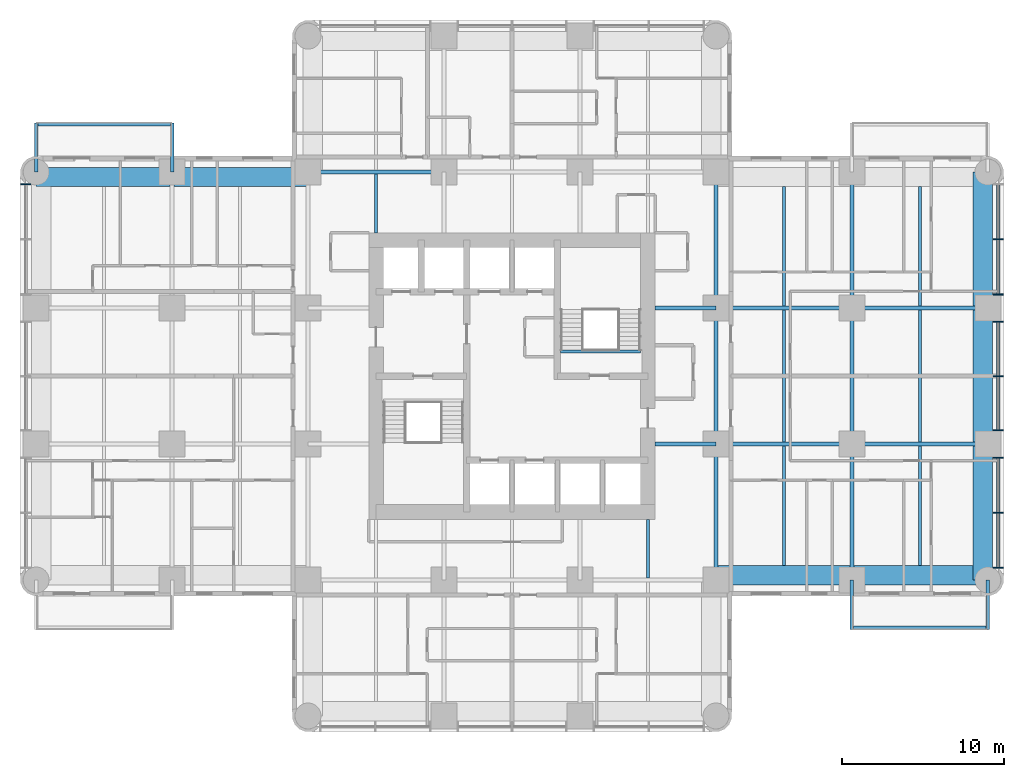
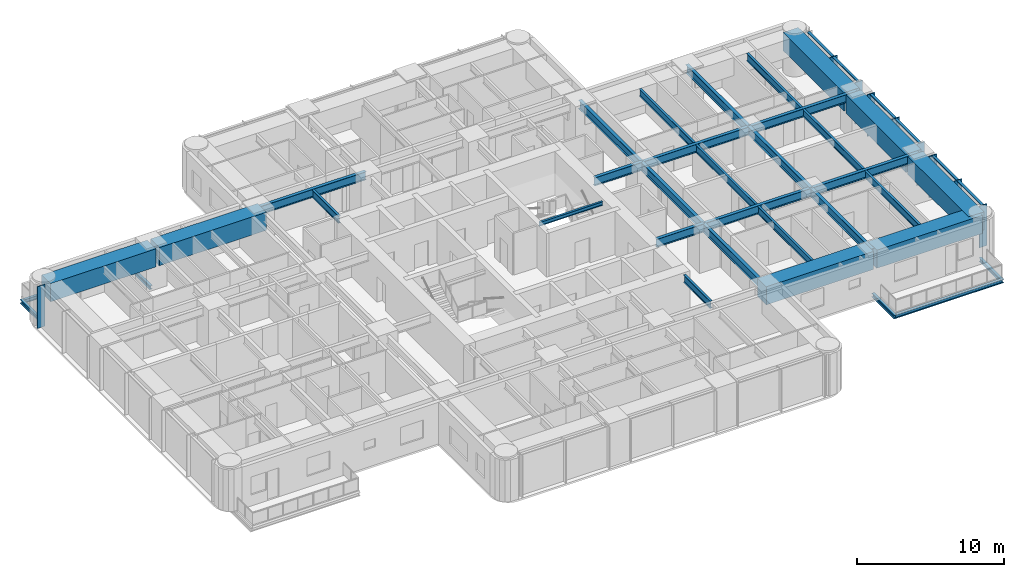
# One storey, part 3 of 14: 35 beams, 15 members, 2 elements without a shape of their own.
"""IFC4 building model written with IfcOpenShell, lengths in metres."""

from ifc_helpers import new_model, si_unit, direction, frame, origin, origin_2d, place, context, subcontext, project, spatial, rectangle, i_section, extrude, material, material_profile, profile_set, type_object, element, aggregate, save


model = new_model("IFC4")

# Units and contexts
model_context = context("Model", 3, precision=1e-05, world=origin(), true_north=direction((0.0, 1.0)))
body_context = subcontext(model_context, "Body", "Model", "MODEL_VIEW")
ifc_project = project(units=[si_unit("LENGTHUNIT", "METRE"), si_unit("AREAUNIT", "SQUARE_METRE"), si_unit("VOLUMEUNIT", "CUBIC_METRE"), si_unit("PLANEANGLEUNIT", "RADIAN"), si_unit("MASSUNIT", "GRAM", prefix="KILO")], contexts=[model_context])

# Site, building, storey
site_placement = place(None, origin())
site = spatial("IfcSite", under=ifc_project, at=site_placement, CompositionType="ELEMENT")
building_placement = place(site_placement, origin())
building = spatial("IfcBuilding", under=site, at=building_placement, Name="Torre Alcanfor", CompositionType="ELEMENT")
storey_placement = place(building_placement, frame((0.0, 0.0, 134.10009765625)))
storey = spatial("IfcBuildingStorey", under=building, at=storey_placement, Name="L34", CompositionType="ELEMENT", Elevation=134.10009765625)

# Beams
ifc_material_1 = material(Name="Steel ASTM A992 Grade 50", Category="steel")
ifc_material_profile_1 = material_profile(ifc_material_1, i_section(OverallWidth=0.205322265625, OverallDepth=0.309814453125, WebThickness=0.00927734375, FlangeThickness=0.016357421875, at=origin_2d()), Name="W12x50")
ifc_profile_set_1 = profile_set([ifc_material_profile_1], Name="Steel ASTM A992 Grade 50")
beam_type_1 = type_object("IfcBeamType", Name="Balcony cantilever beam W12x50", PredefinedType="BEAM", material=ifc_profile_set_1)
for number, where, z_axis, x_axis, name in (
    (1, (50.39990234375, 16.800048828125, -0.35498046875), (0.0, -1.0, 0.0), (1.0, 0.0, 0.0), "Balcony cantilever beam L34-E2 1"),
    (2, (58.800048828125, 16.800048828125, -0.35498046875), (0.0, -1.0, 0.0), (1.0, 0.0, 0.0), "Balcony cantilever beam L34-E2 2"),
    (3, (8.39990234375, 42.0, -0.35498046875), (0.0, 1.0, 0.0), (-1.0, 0.0, 0.0), "Balcony cantilever beam L34-W2 1"),
    (4, (0.0, 42.0, -0.35498046875), (0.0, 1.0, 0.0), (-1.0, 0.0, 0.0), "Balcony cantilever beam L34-W2 2"),
):
    element("IfcBeam", number, at=place(storey_placement, frame(where, z_axis=z_axis, x_axis=x_axis)), inside=storey, type_object=beam_type_1, Name=name, PredefinedType="BEAM", context=body_context, shape_type="SweptSolid", body=[
        extrude(i_section(OverallWidth=0.205322265625, OverallDepth=0.309814453125, WebThickness=0.00927734375, FlangeThickness=0.016357421875, at=origin_2d()), origin(), (0.0, 0.0, 1.0), 3.050048828125),
    ])
ifc_material_2 = material(Name="Steel ASTM A992 Grade 50", Category="steel")
ifc_material_profile_2 = material_profile(ifc_material_2, i_section(OverallWidth=0.203369140625, OverallDepth=0.30224609375, WebThickness=0.007568359375, FlangeThickness=0.01318359375, at=origin_2d()), Name="W12x40")
ifc_profile_set_2 = profile_set([ifc_material_profile_2], Name="Steel ASTM A992 Grade 50")
beam_type_2 = type_object("IfcBeamType", Name="Balcony edge trimmer W12x40", PredefinedType="BEAM", material=ifc_profile_set_2)
beam_1_placement = place(storey_placement, frame((50.39990234375, 13.851806640625, -0.351318359375), z_axis=(1.0, 0.0, 0.0), x_axis=(0.0, 1.0, 0.0)))
element("IfcBeam", 5, at=beam_1_placement, inside=storey, type_object=beam_type_2, Name="Balcony edge trimmer L34-E2", PredefinedType="BEAM", context=body_context, shape_type="SweptSolid", body=[
    extrude(i_section(OverallWidth=0.203369140625, OverallDepth=0.30224609375, WebThickness=0.007568359375, FlangeThickness=0.01318359375, at=origin_2d()), origin(), (0.0, 0.0, 1.0), 8.400146484375),
])
beam_2_placement = place(storey_placement, frame((8.39990234375, 44.9482421875, -0.351318359375), z_axis=(-1.0, 0.0, 0.0), x_axis=(0.0, -1.0, 0.0)))
element("IfcBeam", 6, at=beam_2_placement, inside=storey, type_object=beam_type_2, Name="Balcony edge trimmer L34-W2", PredefinedType="BEAM", context=body_context, shape_type="SweptSolid", body=[
    extrude(i_section(OverallWidth=0.203369140625, OverallDepth=0.30224609375, WebThickness=0.007568359375, FlangeThickness=0.01318359375, at=origin_2d()), origin(), (0.0, 0.0, 1.0), 8.39990234375),
])

# Curtain wall, member
ifc_material_3 = material(Name="Aluminium and glass", Category="aluminium")
curtain_wall_type = type_object("IfcCurtainWallType", Name="CW-A unitised apartment glazing with vertical FIN", PredefinedType="NOTDEFINED", material=ifc_material_3)
curtain_wall_1_placement = place(storey_placement, origin())
curtain_wall_1 = element("IfcCurtainWall", 7, at=curtain_wall_1_placement, inside=storey, type_object=curtain_wall_type, Name="Curtain wall CW-A L34 2", PredefinedType="NOTDEFINED")
ifc_material_4 = material(Name="Bronze anodised aluminium", Category="aluminium")
ifc_material_profile_3 = material_profile(ifc_material_4, rectangle(XDim=0.60009765625, YDim=0.06494140625, at=origin_2d()), Name="CW-A mullion 65x600")
ifc_profile_set_3 = profile_set([ifc_material_profile_3], Name="Bronze anodised aluminium")
member_type_1 = type_object("IfcMemberType", Name="CW-A mullion with vertical FIN 65x600", PredefinedType="MULLION", material=ifc_profile_set_3)
member_1_placement = place(storey_placement, frame((-0.64990234375, 41.24267578125, 0.0), z_axis=(0.0, 0.0, 1.0), x_axis=(1.0, 0.0, 0.0)))
member_1 = element("IfcMember", 8, at=member_1_placement, type_object=member_type_1, Name="CW-A mullion 1.1", PredefinedType="MULLION", context=body_context, shape_type="SweptSolid", body=[
    extrude(rectangle(XDim=0.60009765625, YDim=0.06494140625, at=origin_2d()), origin(), (0.0, 0.0, 1.0), 3.449951171875),
])
aggregate(curtain_wall_1, [member_1])

# Curtain wall, members
curtain_wall_2_placement = place(storey_placement, origin())
curtain_wall_2 = element("IfcCurtainWall", 9, at=curtain_wall_2_placement, inside=storey, type_object=curtain_wall_type, Name="Curtain wall CW-A L34 8", PredefinedType="NOTDEFINED")
member_2_placement = place(storey_placement, frame((59.449951171875, 17.557373046875, 0.0), z_axis=(0.0, 0.0, 1.0), x_axis=(-1.0, 0.0, 0.0)))
member_2 = element("IfcMember", 10, at=member_2_placement, type_object=member_type_1, Name="CW-A mullion 1.1", PredefinedType="MULLION", context=body_context, shape_type="SweptSolid", body=[
    extrude(rectangle(XDim=0.60009765625, YDim=0.06494140625, at=origin_2d()), origin(), (0.0, 0.0, 1.0), 3.449951171875),
])
member_3_placement = place(storey_placement, frame((59.449951171875, 20.9599609375, 0.0), z_axis=(0.0, 0.0, 1.0), x_axis=(-1.0, 0.0, 0.0)))
member_3 = element("IfcMember", 11, at=member_3_placement, type_object=member_type_1, Name="CW-A mullion 1.2", PredefinedType="MULLION", context=body_context, shape_type="SweptSolid", body=[
    extrude(rectangle(XDim=0.60009765625, YDim=0.06494140625, at=origin_2d()), origin(), (0.0, 0.0, 1.0), 3.449951171875),
])
member_4_placement = place(storey_placement, frame((59.449951171875, 24.362548828125, 0.0), z_axis=(0.0, 0.0, 1.0), x_axis=(-1.0, 0.0, 0.0)))
member_4 = element("IfcMember", 12, at=member_4_placement, type_object=member_type_1, Name="CW-A mullion 1.3", PredefinedType="MULLION", context=body_context, shape_type="SweptSolid", body=[
    extrude(rectangle(XDim=0.60009765625, YDim=0.06494140625, at=origin_2d()), origin(), (0.0, 0.0, 1.0), 3.449951171875),
])
member_5_placement = place(storey_placement, frame((59.449951171875, 26.03759765625, 0.0), z_axis=(0.0, 0.0, 1.0), x_axis=(-1.0, 0.0, 0.0)))
member_5 = element("IfcMember", 13, at=member_5_placement, type_object=member_type_1, Name="CW-A mullion 2.1", PredefinedType="MULLION", context=body_context, shape_type="SweptSolid", body=[
    extrude(rectangle(XDim=0.60009765625, YDim=0.06494140625, at=origin_2d()), origin(), (0.0, 0.0, 1.0), 3.449951171875),
])
member_6_placement = place(storey_placement, frame((59.449951171875, 29.39990234375, 0.0), z_axis=(0.0, 0.0, 1.0), x_axis=(-1.0, 0.0, 0.0)))
member_6 = element("IfcMember", 14, at=member_6_placement, type_object=member_type_1, Name="CW-A mullion 2.2", PredefinedType="MULLION", context=body_context, shape_type="SweptSolid", body=[
    extrude(rectangle(XDim=0.60009765625, YDim=0.06494140625, at=origin_2d()), origin(), (0.0, 0.0, 1.0), 3.449951171875),
])
member_7_placement = place(storey_placement, frame((59.449951171875, 32.762451171875, 0.0), z_axis=(0.0, 0.0, 1.0), x_axis=(-1.0, 0.0, 0.0)))
member_7 = element("IfcMember", 15, at=member_7_placement, type_object=member_type_1, Name="CW-A mullion 2.3", PredefinedType="MULLION", context=body_context, shape_type="SweptSolid", body=[
    extrude(rectangle(XDim=0.60009765625, YDim=0.06494140625, at=origin_2d()), origin(), (0.0, 0.0, 1.0), 3.449951171875),
])
member_8_placement = place(storey_placement, frame((59.449951171875, 34.4375, 0.0), z_axis=(0.0, 0.0, 1.0), x_axis=(-1.0, 0.0, 0.0)))
member_8 = element("IfcMember", 16, at=member_8_placement, type_object=member_type_1, Name="CW-A mullion 3.1", PredefinedType="MULLION", context=body_context, shape_type="SweptSolid", body=[
    extrude(rectangle(XDim=0.60009765625, YDim=0.06494140625, at=origin_2d()), origin(), (0.0, 0.0, 1.0), 3.449951171875),
])
member_9_placement = place(storey_placement, frame((59.449951171875, 37.840087890625, 0.0), z_axis=(0.0, 0.0, 1.0), x_axis=(-1.0, 0.0, 0.0)))
member_9 = element("IfcMember", 17, at=member_9_placement, type_object=member_type_1, Name="CW-A mullion 3.2", PredefinedType="MULLION", context=body_context, shape_type="SweptSolid", body=[
    extrude(rectangle(XDim=0.60009765625, YDim=0.06494140625, at=origin_2d()), origin(), (0.0, 0.0, 1.0), 3.449951171875),
])
ifc_material_5 = material(Name="Extruded aluminium", Category="aluminium")
ifc_material_profile_4 = material_profile(ifc_material_5, rectangle(XDim=0.199951171875, YDim=0.06494140625, at=origin_2d()), Name="CW-A transom 200x65")
ifc_profile_set_4 = profile_set([ifc_material_profile_4], Name="Extruded aluminium")
member_type_2 = type_object("IfcMemberType", Name="CW-A transom 65x200", PredefinedType="USERDEFINED", material=ifc_profile_set_4)
member_10_placement = place(storey_placement, frame((59.449951171875, 17.58984375, 3.41748046875), z_axis=(0.0, 1.0, 0.0), x_axis=(-1.0, 0.0, 0.0)))
member_10 = element("IfcMember", 18, at=member_10_placement, type_object=member_type_2, Name="CW-A transom 1.1.2", ObjectType="TRANSOM", PredefinedType="USERDEFINED", context=body_context, shape_type="SweptSolid", body=[
    extrude(rectangle(XDim=0.199951171875, YDim=0.06494140625, at=origin_2d()), origin(), (0.0, 0.0, 1.0), 3.337646484375),
])
member_11_placement = place(storey_placement, frame((59.449951171875, 20.992431640625, 3.41748046875), z_axis=(0.0, 1.0, 0.0), x_axis=(-1.0, 0.0, 0.0)))
member_11 = element("IfcMember", 19, at=member_11_placement, type_object=member_type_2, Name="CW-A transom 1.2.2", ObjectType="TRANSOM", PredefinedType="USERDEFINED", context=body_context, shape_type="SweptSolid", body=[
    extrude(rectangle(XDim=0.199951171875, YDim=0.06494140625, at=origin_2d()), origin(), (0.0, 0.0, 1.0), 3.337646484375),
])
member_12_placement = place(storey_placement, frame((59.449951171875, 26.070068359375, 3.41748046875), z_axis=(0.0, 1.0, 0.0), x_axis=(-1.0, 0.0, 0.0)))
member_12 = element("IfcMember", 20, at=member_12_placement, type_object=member_type_2, Name="CW-A transom 2.1.2", ObjectType="TRANSOM", PredefinedType="USERDEFINED", context=body_context, shape_type="SweptSolid", body=[
    extrude(rectangle(XDim=0.199951171875, YDim=0.06494140625, at=origin_2d()), origin(), (0.0, 0.0, 1.0), 3.29736328125),
])
member_13_placement = place(storey_placement, frame((59.449951171875, 29.4326171875, 3.41748046875), z_axis=(0.0, 1.0, 0.0), x_axis=(-1.0, 0.0, 0.0)))
member_13 = element("IfcMember", 21, at=member_13_placement, type_object=member_type_2, Name="CW-A transom 2.2.2", ObjectType="TRANSOM", PredefinedType="USERDEFINED", context=body_context, shape_type="SweptSolid", body=[
    extrude(rectangle(XDim=0.199951171875, YDim=0.06494140625, at=origin_2d()), origin(), (0.0, 0.0, 1.0), 3.29736328125),
])
member_14_placement = place(storey_placement, frame((59.449951171875, 34.469970703125, 3.41748046875), z_axis=(0.0, 1.0, 0.0), x_axis=(-1.0, 0.0, 0.0)))
member_14 = element("IfcMember", 22, at=member_14_placement, type_object=member_type_2, Name="CW-A transom 3.1.2", ObjectType="TRANSOM", PredefinedType="USERDEFINED", context=body_context, shape_type="SweptSolid", body=[
    extrude(rectangle(XDim=0.199951171875, YDim=0.06494140625, at=origin_2d()), origin(), (0.0, 0.0, 1.0), 3.337646484375),
])
member_15_placement = place(storey_placement, frame((59.449951171875, 37.87255859375, 3.41748046875), z_axis=(0.0, 1.0, 0.0), x_axis=(-1.0, 0.0, 0.0)))
member_15 = element("IfcMember", 23, at=member_15_placement, type_object=member_type_2, Name="CW-A transom 3.2.2", ObjectType="TRANSOM", PredefinedType="USERDEFINED", context=body_context, shape_type="SweptSolid", body=[
    extrude(rectangle(XDim=0.199951171875, YDim=0.06494140625, at=origin_2d()), origin(), (0.0, 0.0, 1.0), 3.337646484375),
])
aggregate(curtain_wall_2, [member_2, member_3, member_4, member_10, member_11, member_5, member_6, member_7, member_12, member_13, member_8, member_9, member_14, member_15])

# Beams
ifc_material_6 = material(Name="Steel ASTM A992 Grade 50", Category="steel")
ifc_material_profile_5 = material_profile(ifc_material_6, i_section(OverallWidth=0.25390625, OverallDepth=0.683349609375, WebThickness=0.012451171875, FlangeThickness=0.01904296875, at=origin_2d()), Name="W27x94")
ifc_profile_set_5 = profile_set([ifc_material_profile_5], Name="Steel ASTM A992 Grade 50")
beam_type_3 = type_object("IfcBeamType", Name="Girder W27x94", PredefinedType="BEAM", material=ifc_profile_set_5)
beam_3_placement = place(storey_placement, frame((42.0, 25.199951171875, 3.108154296875), z_axis=(1.0, 0.0, 0.0), x_axis=(0.0, 1.0, 0.0)))
element("IfcBeam", 24, at=beam_3_placement, inside=storey, type_object=beam_type_3, Name="Beam 6F-7F under L35", PredefinedType="BEAM", context=body_context, shape_type="SweptSolid", body=[
    extrude(i_section(OverallWidth=0.25390625, OverallDepth=0.683349609375, WebThickness=0.012451171875, FlangeThickness=0.01904296875, at=origin_2d()), origin(), (0.0, 0.0, 1.0), 8.39990234375),
])
beam_4_placement = place(storey_placement, frame((50.39990234375, 25.199951171875, 3.108154296875), z_axis=(1.0, 0.0, 0.0), x_axis=(0.0, 1.0, 0.0)))
element("IfcBeam", 25, at=beam_4_placement, inside=storey, type_object=beam_type_3, Name="Beam 7F-8F under L35", PredefinedType="BEAM", context=body_context, shape_type="SweptSolid", body=[
    extrude(i_section(OverallWidth=0.25390625, OverallDepth=0.683349609375, WebThickness=0.012451171875, FlangeThickness=0.01904296875, at=origin_2d()), origin(), (0.0, 0.0, 1.0), 8.400146484375),
])
beam_5_placement = place(storey_placement, frame((42.0, 33.60009765625, 3.108154296875), z_axis=(1.0, 0.0, 0.0), x_axis=(0.0, 1.0, 0.0)))
element("IfcBeam", 26, at=beam_5_placement, inside=storey, type_object=beam_type_3, Name="Beam 6G-7G under L35", PredefinedType="BEAM", context=body_context, shape_type="SweptSolid", body=[
    extrude(i_section(OverallWidth=0.25390625, OverallDepth=0.683349609375, WebThickness=0.012451171875, FlangeThickness=0.01904296875, at=origin_2d()), origin(), (0.0, 0.0, 1.0), 8.39990234375),
])
beam_6_placement = place(storey_placement, frame((50.39990234375, 33.60009765625, 3.108154296875), z_axis=(1.0, 0.0, 0.0), x_axis=(0.0, 1.0, 0.0)))
element("IfcBeam", 27, at=beam_6_placement, inside=storey, type_object=beam_type_3, Name="Beam 7G-8G under L35", PredefinedType="BEAM", context=body_context, shape_type="SweptSolid", body=[
    extrude(i_section(OverallWidth=0.25390625, OverallDepth=0.683349609375, WebThickness=0.012451171875, FlangeThickness=0.01904296875, at=origin_2d()), origin(), (0.0, 0.0, 1.0), 8.400146484375),
])
for number, where, z_axis, x_axis, name in (
    (28, (16.800048828125, 42.0, 3.108154296875), (1.0, 0.0, 0.0), (0.0, 1.0, 0.0), "Beam 3H-4H under L35"),
    (29, (42.0, 16.800048828125, 3.108154296875), (0.0, 1.0, 0.0), (-1.0, 0.0, 0.0), "Beam 6E-6F under L35"),
):
    element("IfcBeam", number, at=place(storey_placement, frame(where, z_axis=z_axis, x_axis=x_axis)), inside=storey, type_object=beam_type_3, Name=name, PredefinedType="BEAM", context=body_context, shape_type="SweptSolid", body=[
        extrude(i_section(OverallWidth=0.25390625, OverallDepth=0.683349609375, WebThickness=0.012451171875, FlangeThickness=0.01904296875, at=origin_2d()), origin(), (0.0, 0.0, 1.0), 8.39990234375),
    ])
beam_7_placement = place(storey_placement, frame((42.0, 25.199951171875, 3.108154296875), z_axis=(0.0, 1.0, 0.0), x_axis=(-1.0, 0.0, 0.0)))
element("IfcBeam", 30, at=beam_7_placement, inside=storey, type_object=beam_type_3, Name="Beam 6F-6G under L35", PredefinedType="BEAM", context=body_context, shape_type="SweptSolid", body=[
    extrude(i_section(OverallWidth=0.25390625, OverallDepth=0.683349609375, WebThickness=0.012451171875, FlangeThickness=0.01904296875, at=origin_2d()), origin(), (0.0, 0.0, 1.0), 8.400146484375),
])
for number, where, z_axis, x_axis, name in (
    (31, (42.0, 33.60009765625, 3.108154296875), (0.0, 1.0, 0.0), (-1.0, 0.0, 0.0), "Beam 6G-6H under L35"),
    (32, (50.39990234375, 16.800048828125, 3.108154296875), (0.0, 1.0, 0.0), (-1.0, 0.0, 0.0), "Beam 7E-7F under L35"),
):
    element("IfcBeam", number, at=place(storey_placement, frame(where, z_axis=z_axis, x_axis=x_axis)), inside=storey, type_object=beam_type_3, Name=name, PredefinedType="BEAM", context=body_context, shape_type="SweptSolid", body=[
        extrude(i_section(OverallWidth=0.25390625, OverallDepth=0.683349609375, WebThickness=0.012451171875, FlangeThickness=0.01904296875, at=origin_2d()), origin(), (0.0, 0.0, 1.0), 8.39990234375),
    ])
beam_8_placement = place(storey_placement, frame((50.39990234375, 25.199951171875, 3.108154296875), z_axis=(0.0, 1.0, 0.0), x_axis=(-1.0, 0.0, 0.0)))
element("IfcBeam", 33, at=beam_8_placement, inside=storey, type_object=beam_type_3, Name="Beam 7F-7G under L35", PredefinedType="BEAM", context=body_context, shape_type="SweptSolid", body=[
    extrude(i_section(OverallWidth=0.25390625, OverallDepth=0.683349609375, WebThickness=0.012451171875, FlangeThickness=0.01904296875, at=origin_2d()), origin(), (0.0, 0.0, 1.0), 8.400146484375),
])
beam_9_placement = place(storey_placement, frame((50.39990234375, 33.60009765625, 3.108154296875), z_axis=(0.0, 1.0, 0.0), x_axis=(-1.0, 0.0, 0.0)))
element("IfcBeam", 34, at=beam_9_placement, inside=storey, type_object=beam_type_3, Name="Beam 7G-7H under L35", PredefinedType="BEAM", context=body_context, shape_type="SweptSolid", body=[
    extrude(i_section(OverallWidth=0.25390625, OverallDepth=0.683349609375, WebThickness=0.012451171875, FlangeThickness=0.01904296875, at=origin_2d()), origin(), (0.0, 0.0, 1.0), 8.39990234375),
])
ifc_material_7 = material(Name="Steel ASTM A992 Grade 50", Category="steel")
ifc_material_profile_6 = material_profile(ifc_material_7, i_section(OverallWidth=0.25390625, OverallDepth=0.683349609375, WebThickness=0.012451171875, FlangeThickness=0.01904296875, at=origin_2d()), Name="W27x94")
ifc_profile_set_6 = profile_set([ifc_material_profile_6], Name="Steel ASTM A992 Grade 50")
beam_type_4 = type_object("IfcBeamType", Name="Girder, part bay W27x94", PredefinedType="BEAM", material=ifc_profile_set_6)
for number, where, z_axis, x_axis, name in (
    (35, (42.0, 25.199951171875, 3.108154296875), (-1.0, 0.0, 0.0), (0.0, -1.0, 0.0), "Beam 6F-38_25F under L35"),
    (36, (42.0, 33.60009765625, 3.108154296875), (-1.0, 0.0, 0.0), (0.0, -1.0, 0.0), "Beam 6G-38_25G under L35"),
):
    element("IfcBeam", number, at=place(storey_placement, frame(where, z_axis=z_axis, x_axis=x_axis)), inside=storey, type_object=beam_type_4, Name=name, PredefinedType="BEAM", context=body_context, shape_type="SweptSolid", body=[
        extrude(i_section(OverallWidth=0.25390625, OverallDepth=0.683349609375, WebThickness=0.012451171875, FlangeThickness=0.01904296875, at=origin_2d()), origin(), (0.0, 0.0, 1.0), 3.75),
    ])
ifc_material_8 = material(Name="Concrete f'c 70 MPa", Category="concrete")
ifc_material_profile_7 = material_profile(ifc_material_8, rectangle(XDim=1.199951171875, YDim=1.5, at=origin_2d()), Name="1200x1500")
ifc_profile_set_7 = profile_set([ifc_material_profile_7], Name="Concrete f'c 70 MPa")
beam_type_5 = type_object("IfcBeamType", Name="RC perimeter beam 1200x1500", PredefinedType="BEAM", material=ifc_profile_set_7)
beam_10_placement = place(storey_placement, frame((41.873046875, 17.10009765625, 2.699951171875), z_axis=(1.0, 0.0, 0.0), x_axis=(0.0, 1.0, 0.0)))
element("IfcBeam", 37, at=beam_10_placement, inside=storey, type_object=beam_type_5, Name="Beam 6E-7E under L35", PredefinedType="BEAM", context=body_context, shape_type="SweptSolid", body=[
    extrude(rectangle(XDim=1.199951171875, YDim=1.5, at=origin_2d()), origin(), (0.0, 0.0, 1.0), 8.39990234375),
])
for number, where, z_axis, x_axis, name in (
    (38, (50.527099609375, 17.10009765625, 2.699951171875), (1.0, 0.0, 0.0), (0.0, 1.0, 0.0), "Beam 7E-8E under L35"),
    (39, (0.0, 41.699951171875, 2.699951171875), (1.0, 0.0, 0.0), (0.0, 1.0, 0.0), "Beam 1H-2H under L35"),
):
    element("IfcBeam", number, at=place(storey_placement, frame(where, z_axis=z_axis, x_axis=x_axis)), inside=storey, type_object=beam_type_5, Name=name, PredefinedType="BEAM", context=body_context, shape_type="SweptSolid", body=[
        extrude(rectangle(XDim=1.199951171875, YDim=1.5, at=origin_2d()), origin(), (0.0, 0.0, 1.0), 8.27294921875),
    ])
beam_11_placement = place(storey_placement, frame((8.527099609375, 41.699951171875, 2.699951171875), z_axis=(1.0, 0.0, 0.0), x_axis=(0.0, 1.0, 0.0)))
element("IfcBeam", 40, at=beam_11_placement, inside=storey, type_object=beam_type_5, Name="Beam 2H-3H under L35", PredefinedType="BEAM", context=body_context, shape_type="SweptSolid", body=[
    extrude(rectangle(XDim=1.199951171875, YDim=1.5, at=origin_2d()), origin(), (0.0, 0.0, 1.0), 8.39990234375),
])
beam_12_placement = place(storey_placement, frame((58.5, 16.800048828125, 2.699951171875), z_axis=(0.0, 1.0, 0.0), x_axis=(-1.0, 0.0, 0.0)))
element("IfcBeam", 41, at=beam_12_placement, inside=storey, type_object=beam_type_5, Name="Beam 8E-8F under L35", PredefinedType="BEAM", context=body_context, shape_type="SweptSolid", body=[
    extrude(rectangle(XDim=1.199951171875, YDim=1.5, at=origin_2d()), origin(), (0.0, 0.0, 1.0), 8.27294921875),
])
beam_13_placement = place(storey_placement, frame((58.5, 25.326904296875, 2.699951171875), z_axis=(0.0, 1.0, 0.0), x_axis=(-1.0, 0.0, 0.0)))
element("IfcBeam", 42, at=beam_13_placement, inside=storey, type_object=beam_type_5, Name="Beam 8F-8G under L35", PredefinedType="BEAM", context=body_context, shape_type="SweptSolid", body=[
    extrude(rectangle(XDim=1.199951171875, YDim=1.5, at=origin_2d()), origin(), (0.0, 0.0, 1.0), 8.14599609375),
])
beam_14_placement = place(storey_placement, frame((58.5, 33.72705078125, 2.699951171875), z_axis=(0.0, 1.0, 0.0), x_axis=(-1.0, 0.0, 0.0)))
element("IfcBeam", 43, at=beam_14_placement, inside=storey, type_object=beam_type_5, Name="Beam 8G-8H under L35", PredefinedType="BEAM", context=body_context, shape_type="SweptSolid", body=[
    extrude(rectangle(XDim=1.199951171875, YDim=1.5, at=origin_2d()), origin(), (0.0, 0.0, 1.0), 8.27294921875),
])
ifc_material_9 = material(Name="Steel ASTM A992 Grade 50", Category="steel")
ifc_material_profile_8 = material_profile(ifc_material_9, i_section(OverallWidth=0.1787109375, OverallDepth=0.60205078125, WebThickness=0.010986328125, FlangeThickness=0.014892578125, at=origin_2d()), Name="W24x62")
ifc_profile_set_8 = profile_set([ifc_material_profile_8], Name="Steel ASTM A992 Grade 50")
beam_type_6 = type_object("IfcBeamType", Name="Secondary beam W24x62", PredefinedType="BEAM", material=ifc_profile_set_8)
beam_15_placement = place(storey_placement, frame((46.199951171875, 17.699951171875, 3.14892578125), z_axis=(0.0, 1.0, 0.0), x_axis=(-1.0, 0.0, 0.0)))
element("IfcBeam", 44, at=beam_15_placement, inside=storey, type_object=beam_type_6, Name="Beam 46_2E-46_2F under L35", PredefinedType="BEAM", context=body_context, shape_type="SweptSolid", body=[
    extrude(i_section(OverallWidth=0.1787109375, OverallDepth=0.60205078125, WebThickness=0.010986328125, FlangeThickness=0.014892578125, at=origin_2d()), origin(), (0.0, 0.0, 1.0), 7.373046875),
])
beam_16_placement = place(storey_placement, frame((46.199951171875, 25.326904296875, 3.14892578125), z_axis=(0.0, 1.0, 0.0), x_axis=(-1.0, 0.0, 0.0)))
element("IfcBeam", 45, at=beam_16_placement, inside=storey, type_object=beam_type_6, Name="Beam 46_2F-46_2G under L35", PredefinedType="BEAM", context=body_context, shape_type="SweptSolid", body=[
    extrude(i_section(OverallWidth=0.1787109375, OverallDepth=0.60205078125, WebThickness=0.010986328125, FlangeThickness=0.014892578125, at=origin_2d()), origin(), (0.0, 0.0, 1.0), 8.14599609375),
])
for number, where, z_axis, x_axis, name in (
    (46, (46.199951171875, 33.72705078125, 3.14892578125), (0.0, 1.0, 0.0), (-1.0, 0.0, 0.0), "Beam 46_2G-46_2H under L35"),
    (47, (54.60009765625, 17.699951171875, 3.14892578125), (0.0, 1.0, 0.0), (-1.0, 0.0, 0.0), "Beam 54_6E-54_6F under L35"),
):
    element("IfcBeam", number, at=place(storey_placement, frame(where, z_axis=z_axis, x_axis=x_axis)), inside=storey, type_object=beam_type_6, Name=name, PredefinedType="BEAM", context=body_context, shape_type="SweptSolid", body=[
        extrude(i_section(OverallWidth=0.1787109375, OverallDepth=0.60205078125, WebThickness=0.010986328125, FlangeThickness=0.014892578125, at=origin_2d()), origin(), (0.0, 0.0, 1.0), 7.373046875),
    ])
beam_17_placement = place(storey_placement, frame((54.60009765625, 25.326904296875, 3.14892578125), z_axis=(0.0, 1.0, 0.0), x_axis=(-1.0, 0.0, 0.0)))
element("IfcBeam", 48, at=beam_17_placement, inside=storey, type_object=beam_type_6, Name="Beam 54_6F-54_6G under L35", PredefinedType="BEAM", context=body_context, shape_type="SweptSolid", body=[
    extrude(i_section(OverallWidth=0.1787109375, OverallDepth=0.60205078125, WebThickness=0.010986328125, FlangeThickness=0.014892578125, at=origin_2d()), origin(), (0.0, 0.0, 1.0), 8.14599609375),
])
beam_18_placement = place(storey_placement, frame((54.60009765625, 33.72705078125, 3.14892578125), z_axis=(0.0, 1.0, 0.0), x_axis=(-1.0, 0.0, 0.0)))
element("IfcBeam", 49, at=beam_18_placement, inside=storey, type_object=beam_type_6, Name="Beam 54_6G-54_6H under L35", PredefinedType="BEAM", context=body_context, shape_type="SweptSolid", body=[
    extrude(i_section(OverallWidth=0.1787109375, OverallDepth=0.60205078125, WebThickness=0.010986328125, FlangeThickness=0.014892578125, at=origin_2d()), origin(), (0.0, 0.0, 1.0), 7.373046875),
])
ifc_material_10 = material(Name="Steel ASTM A992 Grade 50", Category="steel")
ifc_material_profile_9 = material_profile(ifc_material_10, i_section(OverallWidth=0.1787109375, OverallDepth=0.60205078125, WebThickness=0.010986328125, FlangeThickness=0.014892578125, at=origin_2d()), Name="W24x62")
ifc_profile_set_9 = profile_set([ifc_material_profile_9], Name="Steel ASTM A992 Grade 50")
beam_type_7 = type_object("IfcBeamType", Name="Secondary beam, part bay W24x62", PredefinedType="BEAM", material=ifc_profile_set_9)
for number, where, z_axis, x_axis, name in (
    (50, (21.0, 38.25, 3.14892578125), (0.0, 1.0, 0.0), (-1.0, 0.0, 0.0), "Beam 2138_25-21H under L35"),
    (51, (37.800048828125, 16.927001953125, 3.14892578125), (0.0, 1.0, 0.0), (-1.0, 0.0, 0.0), "Beam 37_8E-37_820_55 under L35"),
):
    element("IfcBeam", number, at=place(storey_placement, frame(where, z_axis=z_axis, x_axis=x_axis)), inside=storey, type_object=beam_type_7, Name=name, PredefinedType="BEAM", context=body_context, shape_type="SweptSolid", body=[
        extrude(i_section(OverallWidth=0.1787109375, OverallDepth=0.60205078125, WebThickness=0.010986328125, FlangeThickness=0.014892578125, at=origin_2d()), origin(), (0.0, 0.0, 1.0), 3.623046875),
    ])
ifc_material_11 = material(Name="Steel ASTM A992 Grade 50", Category="steel")
ifc_material_profile_10 = material_profile(ifc_material_11, i_section(OverallWidth=0.164794921875, OverallDepth=0.309814453125, WebThickness=0.005859375, FlangeThickness=0.009765625, at=origin_2d()), Name="W12x26")
ifc_profile_set_10 = profile_set([ifc_material_profile_10], Name="Steel ASTM A992 Grade 50")
beam_type_8 = type_object("IfcBeamType", Name="Stair landing beam W12x26", PredefinedType="BEAM", material=ifc_profile_set_10)
beam_19_placement = place(storey_placement, frame((32.39990234375, 30.91259765625, 3.244873046875), z_axis=(1.0, 0.0, 0.0), x_axis=(0.0, 1.0, 0.0)))
element("IfcBeam", 52, at=beam_19_placement, inside=storey, type_object=beam_type_8, Name="Landing trimmer S2 L35", PredefinedType="BEAM", context=body_context, shape_type="SweptSolid", body=[
    extrude(i_section(OverallWidth=0.164794921875, OverallDepth=0.309814453125, WebThickness=0.005859375, FlangeThickness=0.009765625, at=origin_2d()), origin(), (0.0, 0.0, 1.0), 4.9501953125),
])

save(model, "model.ifc")
